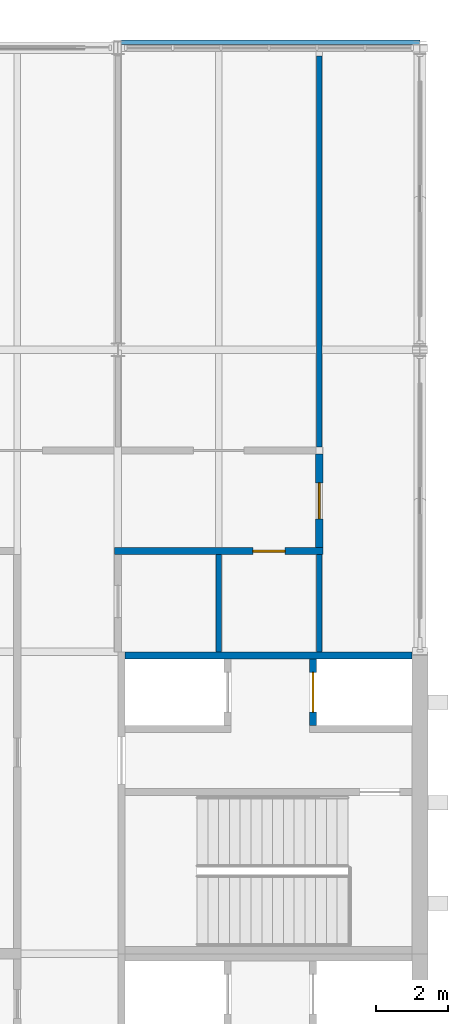
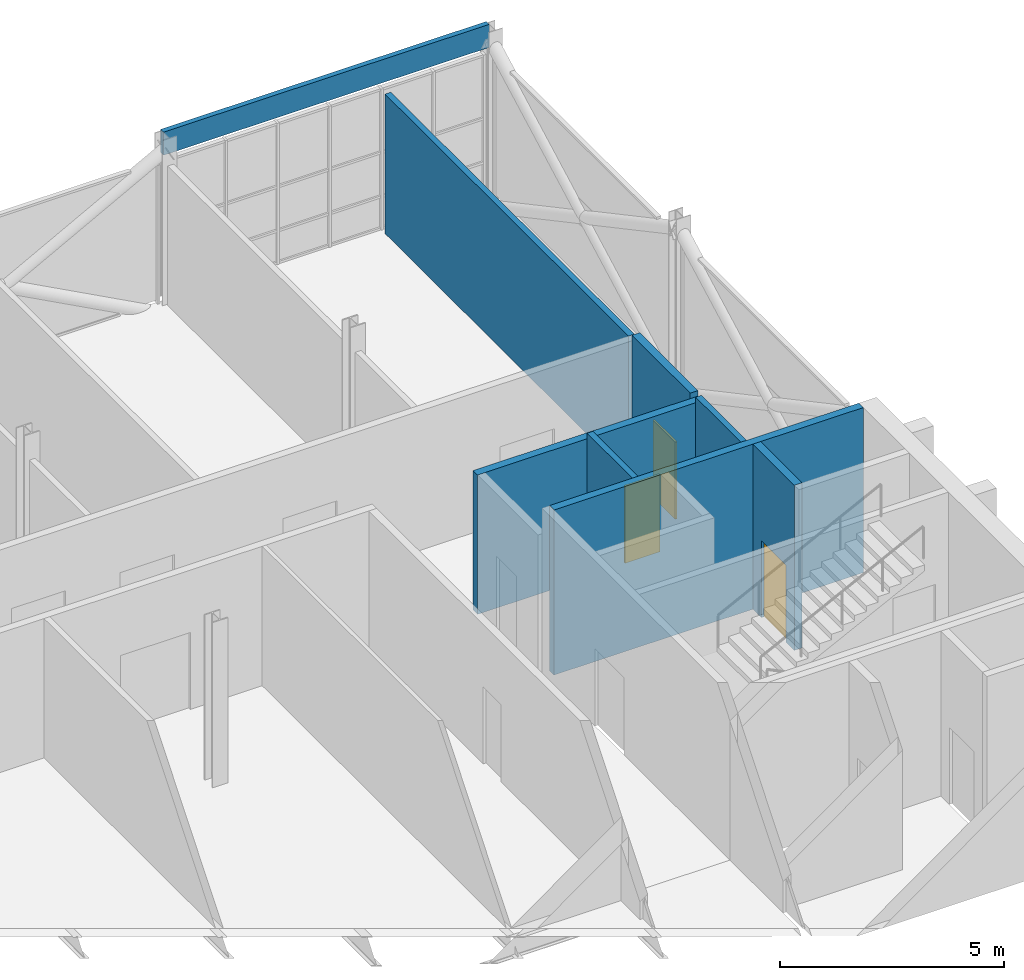
# One storey, part 96 of 129: 8 walls, 3 doors, 3 openings.
"""IFC4 building model written with IfcOpenShell, lengths in metres."""

from ifc_helpers import new_model, si_unit, direction, frame, frame_2d, origin, place, context, subcontext, project, spatial, rectangle, extrude, material, layer, layer_set, type_object, element, fill, save


model = new_model("IFC4")

# Units and contexts
model_context = context("Model", 3, precision=1e-05, world=origin(), true_north=direction((0.0, 1.0)))
body_context = subcontext(model_context, "Body", "Model", "MODEL_VIEW")
ifc_project = project(units=[si_unit("LENGTHUNIT", "METRE"), si_unit("AREAUNIT", "SQUARE_METRE"), si_unit("VOLUMEUNIT", "CUBIC_METRE"), si_unit("PLANEANGLEUNIT", "RADIAN"), si_unit("MASSUNIT", "GRAM", prefix="KILO")], contexts=[model_context])

# Site, building, storey
site_placement = place(None, origin())
site = spatial("IfcSite", under=ifc_project, at=site_placement, CompositionType="ELEMENT")
building_placement = place(site_placement, origin())
building = spatial("IfcBuilding", under=site, at=building_placement, Name="Ardhachandra Cancer Care Centre", CompositionType="ELEMENT")
storey_placement = place(building_placement, frame((0.0, 0.0, 4.5)))
storey = spatial("IfcBuildingStorey", under=building, at=storey_placement, Name="L01", CompositionType="ELEMENT", Elevation=4.5)

# Wall, opening, door
ifc_material_1 = material(Name="Gypsum board corridor partition on steel studs", Category="steel")
ifc_layer_1 = layer(ifc_material_1, 0.199951171875)
ifc_layer_set_1 = layer_set([ifc_layer_1], Name="Gypsum board corridor partition on steel studs")
wall_type_1 = type_object("IfcWallType", Name="CORRIDOR WALL 200", PredefinedType="PARTITIONING", material=ifc_layer_set_1)
wall_1_placement = place(storey_placement, frame((136.699951171875, 91.0, 0.0), z_axis=(0.0, 0.0, 1.0), x_axis=(1.0, 0.0, 0.0)))
wall_1 = element("IfcWall", 1, at=wall_1_placement, inside=storey, type_object=wall_type_1, Name="R/wall/L01/h0091000_0136700", PredefinedType="PARTITIONING", context=body_context, shape_type="SweptSolid", body=[
    extrude(rectangle(XDim=5.800048828125, YDim=0.199951171875, at=frame_2d((2.89990234375, 0.0))), origin(), (0.0, 0.0, 1.0), 3.800048828125),
])
opening_1_placement = place(wall_1_placement, frame((3.85009765625, 0.0, 0.0)))
opening_1 = element("IfcOpeningElement", 2, at=opening_1_placement, cuts=wall_1, Name="Opening L01-0037", PredefinedType="OPENING", context=body_context, shape_type="SweptSolid", body=[
    extrude(rectangle(XDim=0.89990234375, YDim=2.10009765625, at=frame_2d((0.449951171875, 1.050048828125))), frame((0.0, 0.10986328125, 0.0), z_axis=(0.0, -1.0, 0.0), x_axis=(1.0, 0.0, 0.0)), (0.0, 0.0, 1.0), 0.219970703125),
])
ifc_material_2 = material(Name="Timber fire door with smoke seals", Category="wood")
door_type_1 = type_object("IfcDoorType", Name="FIRE DOOR WC 900x2100 FD30S", OperationType="NOTDEFINED", PredefinedType="DOOR", material=ifc_material_2)
door_1_placement = place(opening_1_placement, origin())
door_1 = element("IfcDoor", 3, at=door_1_placement, inside=storey, type_object=door_type_1, Name="Door L01-0037", OperationType="SINGLE_SWING_RIGHT", OverallHeight=2.10009765625, OverallWidth=0.89990234375, PredefinedType="DOOR", context=body_context, shape_type="SweptSolid", body=[
    extrude(rectangle(XDim=0.89990234375, YDim=2.10009765625, at=frame_2d((0.449951171875, 1.050048828125))), frame((0.0, 0.02490234375, 0.0), z_axis=(0.0, -1.0, 0.0), x_axis=(1.0, 0.0, 0.0)), (0.0, 0.0, 1.0), 0.050048828125),
])
fill(opening_1, door_1)

wall_2_placement = place(storey_placement, frame((142.39990234375, 91.10009765625, 0.0), z_axis=(0.0, 0.0, 1.0), x_axis=(0.0, 1.0, 0.0)))
wall_2 = element("IfcWall", 4, at=wall_2_placement, inside=storey, type_object=wall_type_1, Name="R/wall/L01/v0142400_0091100", PredefinedType="PARTITIONING", context=body_context, shape_type="SweptSolid", body=[
    extrude(rectangle(XDim=2.599853515625, YDim=0.199951171875, at=frame_2d((1.2998046875, 0.0))), origin(), (0.0, 0.0, 1.0), 3.949951171875),
])
opening_2_placement = place(wall_2_placement, frame((0.800048828125, 0.0, 0.0)))
opening_2 = element("IfcOpeningElement", 5, at=opening_2_placement, cuts=wall_2, Name="Opening L01-0093", PredefinedType="OPENING", context=body_context, shape_type="SweptSolid", body=[
    extrude(rectangle(XDim=1.0, YDim=2.10009765625, at=frame_2d((0.5, 1.050048828125))), frame((0.0, 0.10986328125, 0.0), z_axis=(0.0, -1.0, 0.0), x_axis=(1.0, 0.0, 0.0)), (0.0, 0.0, 1.0), 0.219970703125),
])
ifc_material_3 = material(Name="Timber fire door with smoke seals", Category="wood")
door_type_2 = type_object("IfcDoorType", Name="FIRE DOOR SINGLE 1000x2100 FD30S", OperationType="NOTDEFINED", PredefinedType="DOOR", material=ifc_material_3)
door_2_placement = place(opening_2_placement, origin())
door_2 = element("IfcDoor", 6, at=door_2_placement, inside=storey, type_object=door_type_2, Name="Door L01-0093", OperationType="SINGLE_SWING_LEFT", OverallHeight=2.10009765625, OverallWidth=1.0, PredefinedType="DOOR", context=body_context, shape_type="SweptSolid", body=[
    extrude(rectangle(XDim=1.0, YDim=2.10009765625, at=frame_2d((0.5, 1.050048828125))), frame((0.0, 0.02490234375, 0.0), z_axis=(0.0, -1.0, 0.0), x_axis=(1.0, 0.0, 0.0)), (0.0, 0.0, 1.0), 0.050048828125),
])
fill(opening_2, door_2)

# Wall
ifc_material_4 = material(Name="Concrete M40", Category="concrete")
ifc_layer_2 = layer(ifc_material_4, 0.199951171875)
ifc_layer_set_2 = layer_set([ifc_layer_2], Name="Concrete M40")
wall_type_2 = type_object("IfcWallType", Name="Core wall RC 200", PredefinedType="SOLIDWALL", material=ifc_layer_set_2)
wall_3_placement = place(storey_placement, frame((137.0, 88.10009765625, 0.0), z_axis=(0.0, 0.0, 1.0), x_axis=(1.0, 0.0, 0.0)))
element("IfcWall", 7, at=wall_3_placement, inside=storey, type_object=wall_type_2, Name="Core wall K13 UE", PredefinedType="SOLIDWALL", context=body_context, shape_type="SweptSolid", body=[
    extrude(rectangle(XDim=7.97509765625, YDim=0.199951171875, at=frame_2d((3.987548828125, 0.0))), origin(), (0.0, 0.0, 1.0), 4.5),
])

# Wall, opening, door
wall_4_placement = place(storey_placement, frame((142.22509765625, 86.14990234375, 0.0), z_axis=(0.0, 0.0, 1.0), x_axis=(0.0, 1.0, 0.0)))
wall_4 = element("IfcWall", 8, at=wall_4_placement, inside=storey, type_object=wall_type_2, Name="Core wall K13 W2", PredefinedType="SOLIDWALL", context=body_context, shape_type="SweptSolid", body=[
    extrude(rectangle(XDim=1.85009765625, YDim=0.199951171875, at=frame_2d((0.925048828125, 0.0))), origin(), (0.0, 0.0, 1.0), 4.5),
])
opening_3_placement = place(wall_4_placement, frame((0.375, 0.0, 0.0)))
opening_3 = element("IfcOpeningElement", 9, at=opening_3_placement, cuts=wall_4, Name="Opening L01-K13-4", PredefinedType="OPENING", context=body_context, shape_type="SweptSolid", body=[
    extrude(rectangle(XDim=1.10009765625, YDim=2.10009765625, at=frame_2d((0.550048828125, 1.050048828125))), frame((0.0, 0.10986328125, 0.0), z_axis=(0.0, -1.0, 0.0), x_axis=(1.0, 0.0, 0.0)), (0.0, 0.0, 1.0), 0.219970703125),
])
ifc_material_5 = material(Name="Stainless steel (grade 304)", Category="steel")
door_type_3 = type_object("IfcDoorType", Name="Lift landing door 1100x2100", OperationType="DOUBLE_DOOR_SLIDING", PredefinedType="DOOR", material=ifc_material_5)
door_3_placement = place(opening_3_placement, origin())
door_3 = element("IfcDoor", 10, at=door_3_placement, inside=storey, type_object=door_type_3, Name="Lift landing door LF-K13-2", OperationType="DOUBLE_DOOR_SLIDING", OverallHeight=2.10009765625, OverallWidth=1.10009765625, PredefinedType="DOOR", context=body_context, shape_type="SweptSolid", body=[
    extrude(rectangle(XDim=1.10009765625, YDim=2.10009765625, at=frame_2d((0.550048828125, 1.050048828125))), frame((0.0, 0.02490234375, 0.0), z_axis=(0.0, -1.0, 0.0), x_axis=(1.0, 0.0, 0.0)), (0.0, 0.0, 1.0), 0.050048828125),
])
fill(opening_3, door_3)

# Walls
ifc_material_6 = material(Name="Precast Concrete M30 fascia panel with brick slip facing", Category="masonry")
ifc_layer_3 = layer(ifc_material_6, 0.1298828125)
ifc_layer_set_3 = layer_set([ifc_layer_3], Name="Precast Concrete M30 fascia panel with brick slip facing")
wall_type_3 = type_object("IfcWallType", Name="Edge beam fascia 130", PredefinedType="SOLIDWALL", material=ifc_layer_set_3)
wall_5_placement = place(storey_placement, frame((136.800048828125, 105.159912109375, 3.8701171875), z_axis=(0.0, 0.0, 1.0), x_axis=(1.0, 0.0, 0.0)))
element("IfcWall", 11, at=wall_5_placement, inside=storey, type_object=wall_type_3, Name="E/fascia/L01/n/0136800_0105000", PredefinedType="SOLIDWALL", context=body_context, shape_type="SweptSolid", body=[
    extrude(rectangle(XDim=8.39990234375, YDim=0.1298828125, at=frame_2d((4.199951171875, 0.0))), origin(), (0.0, 0.0, 1.0), 0.6298828125),
])
ifc_material_7 = material(Name="Gypsum board partition on steel studs", Category="steel")
ifc_layer_4 = layer(ifc_material_7, 0.14990234375)
ifc_layer_set_4 = layer_set([ifc_layer_4], Name="Gypsum board partition on steel studs")
wall_type_4 = type_object("IfcWallType", Name="PARTITION 150", PredefinedType="PARTITIONING", material=ifc_layer_set_4)
wall_6_placement = place(storey_placement, frame((142.39990234375, 93.89990234375, 0.0), z_axis=(0.0, 0.0, 1.0), x_axis=(0.0, 1.0, 0.0)))
element("IfcWall", 12, at=wall_6_placement, inside=storey, type_object=wall_type_4, Name="R/wall/L01/v0142400_0093900", PredefinedType="PARTITIONING", context=body_context, shape_type="SweptSolid", body=[
    extrude(rectangle(XDim=10.875, YDim=0.14990234375, at=frame_2d((5.4375, 0.0))), origin(), (0.0, 0.0, 1.0), 3.800048828125),
])
ifc_material_8 = material(Name="Tiled gypsum board partition on steel studs", Category="steel")
ifc_layer_5 = layer(ifc_material_8, 0.14990234375)
ifc_layer_set_5 = layer_set([ifc_layer_5], Name="Tiled gypsum board partition on steel studs")
wall_type_5 = type_object("IfcWallType", Name="WET ROOM PARTITION 150", PredefinedType="PARTITIONING", material=ifc_layer_set_5)
for number, where, z_axis, x_axis, name in (
    (13, (139.60009765625, 88.199951171875, 0.0), (0.0, 0.0, 1.0), (0.0, 1.0, 0.0), "R/wall/L01/v0139600_0088200"),
    (14, (142.39990234375, 88.199951171875, 0.0), (0.0, 0.0, 1.0), (0.0, 1.0, 0.0), "R/wall/L01/v0142400_0088200"),
):
    element("IfcWall", number, at=place(storey_placement, frame(where, z_axis=z_axis, x_axis=x_axis)), inside=storey, type_object=wall_type_5, Name=name, PredefinedType="PARTITIONING", context=body_context, shape_type="SweptSolid", body=[
        extrude(rectangle(XDim=2.699951171875, YDim=0.14990234375, at=frame_2d((1.35009765625, 0.0))), origin(), (0.0, 0.0, 1.0), 3.949951171875),
    ])

save(model, "model.ifc")
